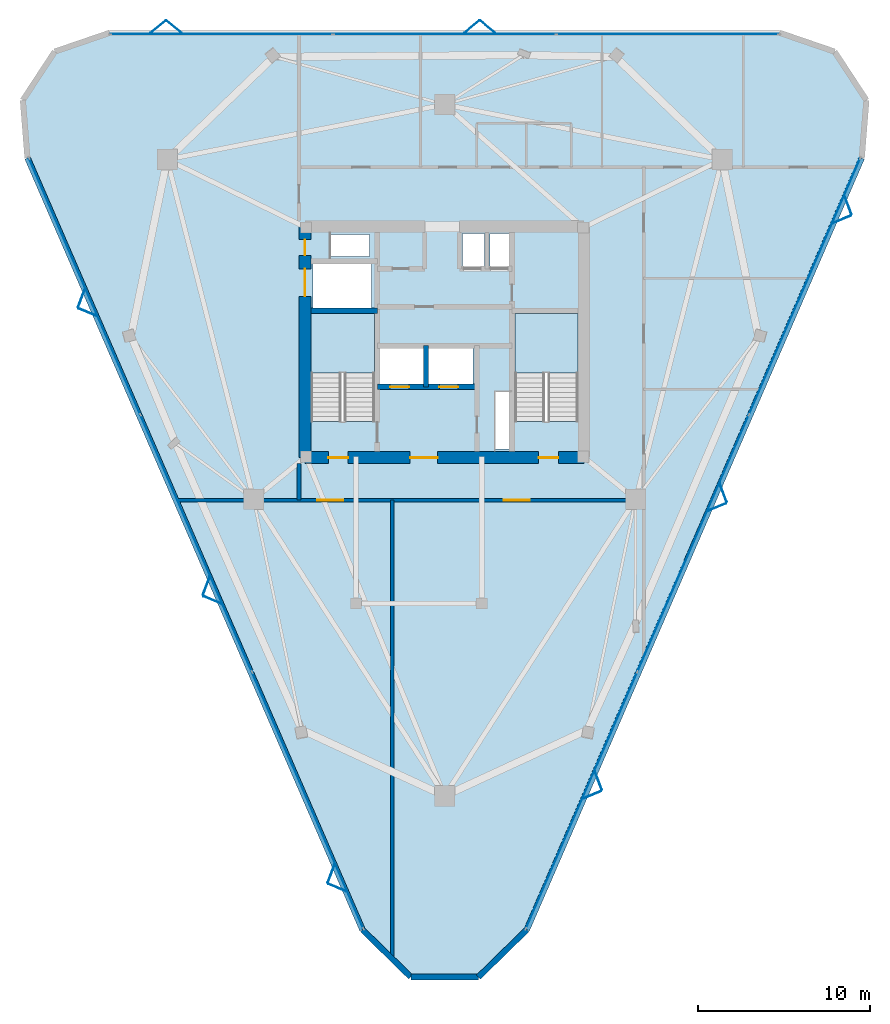
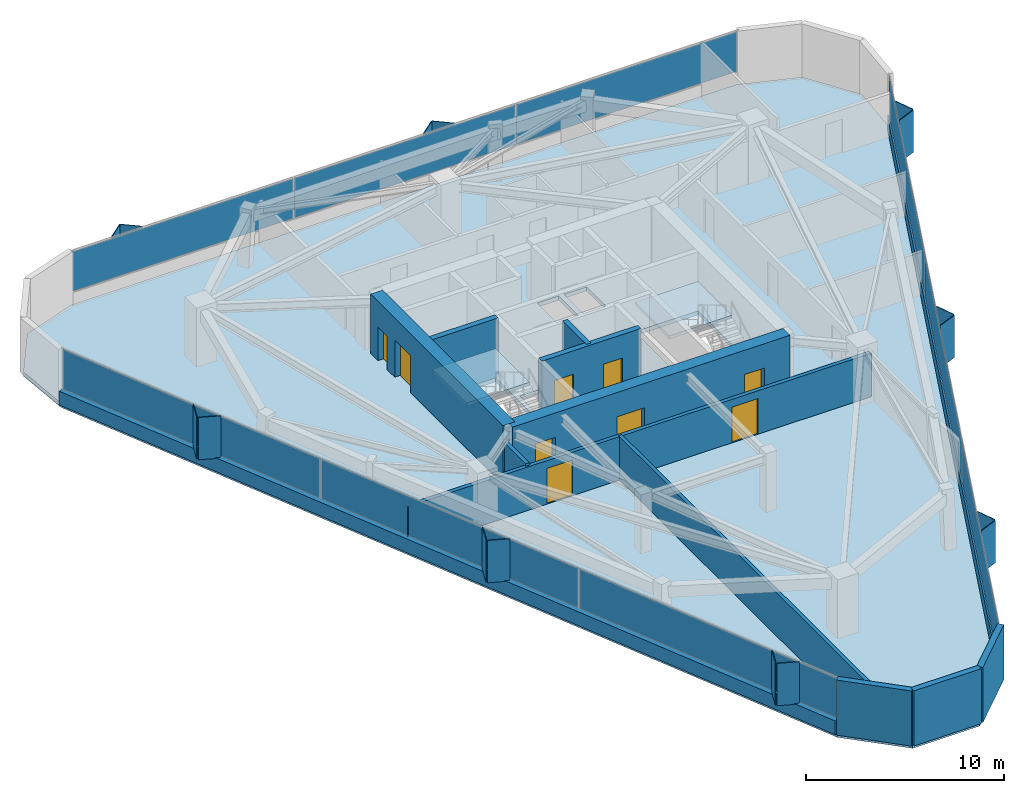
# One storey, part 7 of 10: 25 plates, 13 walls, 9 doors, 3 slabs, 9 openings, 5 elements without a shape of their own.
"""IFC4 building model written with IfcOpenShell, lengths in metres."""

from ifc_helpers import new_model, si_unit, direction, frame, frame_2d, origin, origin_2d, place, context, subcontext, project, spatial, polyline, rectangle, outline, extrude, material, layer, layer_set, type_object, element, fill, aggregate, save


model = new_model("IFC4")

# Units and contexts
model_context = context("Model", 3, precision=1e-05, world=origin(), true_north=direction((0.0, 1.0)))
body_context = subcontext(model_context, "Body", "Model", "MODEL_VIEW")
ifc_project = project(units=[si_unit("LENGTHUNIT", "METRE"), si_unit("AREAUNIT", "SQUARE_METRE"), si_unit("VOLUMEUNIT", "CUBIC_METRE"), si_unit("PLANEANGLEUNIT", "RADIAN"), si_unit("MASSUNIT", "GRAM", prefix="KILO")], contexts=[model_context])

# Site, building, storey
site_placement = place(None, origin())
site = spatial("IfcSite", under=ifc_project, at=site_placement, CompositionType="ELEMENT")
building_placement = place(site_placement, origin())
building = spatial("IfcBuilding", under=site, at=building_placement, Name="Talyreon Biosciences Tower", CompositionType="ELEMENT")
storey_placement = place(building_placement, frame((0.0, 0.0, 231.60009765625)))
storey = spatial("IfcBuildingStorey", under=building, at=storey_placement, Name="L61", CompositionType="ELEMENT", Elevation=231.60009765625)

# Curtain wall, plates
ifc_material_1 = material(Name="Thermally broken aluminium and low-E glazing", Category="aluminium")
ifc_layer_1 = layer(ifc_material_1, 0.175048828125)
ifc_layer_set_1 = layer_set([ifc_layer_1], Name="Thermally broken aluminium and low-E glazing")
curtain_wall_type = type_object("IfcCurtainWallType", Name="CurtainWall_Zone5CompLab", PredefinedType="NOTDEFINED", material=ifc_layer_set_1)
curtain_wall_1_placement = place(storey_placement, origin())
curtain_wall_1 = element("IfcCurtainWall", 1, at=curtain_wall_1_placement, inside=storey, type_object=curtain_wall_type, Name="L61 Unitised Curtain Wall FCW-L61-00", PredefinedType="NOTDEFINED")
ifc_material_2 = material(Name="Triple-silver low-E insulated glazing", Category="glass")
ifc_layer_2 = layer(ifc_material_2, 0.031982421875)
ifc_layer_set_2 = layer_set([ifc_layer_2], Name="Triple-silver low-E insulated glazing")
plate_type_1 = type_object("IfcPlateType", Name="CWGlazingPanel_32", PredefinedType="CURTAIN_PANEL", material=ifc_layer_set_2)
plate_1_placement = place(storey_placement, frame((58.0576171875, 41.41015625, 0.875), z_axis=(0.0, 0.0, 1.0), x_axis=(-0.398112405366, 0.917336640876, 0.0)))
plate_1 = element("IfcPlate", 2, at=plate_1_placement, type_object=plate_type_1, Name="CW6 panel 1.1", PredefinedType="CURTAIN_PANEL", context=body_context, shape_type="SweptSolid", body=[
    extrude(rectangle(XDim=16.1748046875, YDim=0.031982421875, at=origin_2d()), origin(), (0.0, 0.0, 1.0), 2.4599609375),
])
plate_2_placement = place(storey_placement, frame((51.5859375, 56.322265625, 0.875), z_axis=(0.0, 0.0, 1.0), x_axis=(-0.398112405366, 0.917336640876, 0.0)))
plate_2 = element("IfcPlate", 3, at=plate_2_placement, type_object=plate_type_1, Name="CW6 panel 2.1", PredefinedType="CURTAIN_PANEL", context=body_context, shape_type="SweptSolid", body=[
    extrude(rectangle(XDim=16.207275390625, YDim=0.031982421875, at=origin_2d()), origin(), (0.0, 0.0, 1.0), 2.4599609375),
])
plate_3_placement = place(storey_placement, frame((45.1142578125, 71.234619140625, 0.875), z_axis=(0.0, 0.0, 1.0), x_axis=(-0.398112405366, 0.917336640876, 0.0)))
plate_3 = element("IfcPlate", 4, at=plate_3_placement, type_object=plate_type_1, Name="CW6 panel 3.1", PredefinedType="CURTAIN_PANEL", context=body_context, shape_type="SweptSolid", body=[
    extrude(rectangle(XDim=16.1748046875, YDim=0.031982421875, at=origin_2d()), origin(), (0.0, 0.0, 1.0), 2.4599609375),
])
aggregate(curtain_wall_1, [plate_1, plate_2, plate_3])

curtain_wall_2_placement = place(storey_placement, origin())
curtain_wall_2 = element("IfcCurtainWall", 5, at=curtain_wall_2_placement, inside=storey, type_object=curtain_wall_type, Name="L61 Unitised Curtain Wall FCW-L61-04", PredefinedType="NOTDEFINED")
plate_4_placement = place(storey_placement, frame((53.059814453125, 85.87158203125, 0.875), z_axis=(0.0, 0.0, 1.0), x_axis=(1.0, 0.0, 0.0)))
plate_4 = element("IfcPlate", 6, at=plate_4_placement, type_object=plate_type_1, Name="CW6 panel 1.1", PredefinedType="CURTAIN_PANEL", context=body_context, shape_type="SweptSolid", body=[
    extrude(rectangle(XDim=12.85888671875, YDim=0.031982421875, at=origin_2d()), origin(), (0.0, 0.0, 1.0), 2.4599609375),
])
plate_5_placement = place(storey_placement, frame((66.0, 85.87158203125, 0.875), z_axis=(0.0, 0.0, 1.0), x_axis=(1.0, 0.0, 0.0)))
plate_5 = element("IfcPlate", 7, at=plate_5_placement, type_object=plate_type_1, Name="CW6 panel 2.1", PredefinedType="CURTAIN_PANEL", context=body_context, shape_type="SweptSolid", body=[
    extrude(rectangle(XDim=12.891357421875, YDim=0.031982421875, at=origin_2d()), origin(), (0.0, 0.0, 1.0), 2.4599609375),
])
plate_6_placement = place(storey_placement, frame((78.940185546875, 85.87158203125, 0.875), z_axis=(0.0, 0.0, 1.0), x_axis=(1.0, 0.0, 0.0)))
plate_6 = element("IfcPlate", 8, at=plate_6_placement, type_object=plate_type_1, Name="CW6 panel 3.1", PredefinedType="CURTAIN_PANEL", context=body_context, shape_type="SweptSolid", body=[
    extrude(rectangle(XDim=12.85888671875, YDim=0.031982421875, at=origin_2d()), origin(), (0.0, 0.0, 1.0), 2.4599609375),
])
aggregate(curtain_wall_2, [plate_4, plate_5, plate_6])

curtain_wall_3_placement = place(storey_placement, origin())
curtain_wall_3 = element("IfcCurtainWall", 9, at=curtain_wall_3_placement, inside=storey, type_object=curtain_wall_type, Name="L61 Unitised Curtain Wall FCW-L61-08", PredefinedType="NOTDEFINED")
plate_7_placement = place(storey_placement, frame((86.8857421875, 71.234619140625, 0.875), z_axis=(0.0, 0.0, 1.0), x_axis=(-0.398112405366, -0.917336640876, 0.0)))
plate_7 = element("IfcPlate", 10, at=plate_7_placement, type_object=plate_type_1, Name="CW6 panel 1.1", PredefinedType="CURTAIN_PANEL", context=body_context, shape_type="SweptSolid", body=[
    extrude(rectangle(XDim=16.1748046875, YDim=0.031982421875, at=origin_2d()), origin(), (0.0, 0.0, 1.0), 2.4599609375),
])
plate_8_placement = place(storey_placement, frame((80.4140625, 56.322265625, 0.875), z_axis=(0.0, 0.0, 1.0), x_axis=(-0.398112405366, -0.917336640876, 0.0)))
plate_8 = element("IfcPlate", 11, at=plate_8_placement, type_object=plate_type_1, Name="CW6 panel 2.1", PredefinedType="CURTAIN_PANEL", context=body_context, shape_type="SweptSolid", body=[
    extrude(rectangle(XDim=16.207275390625, YDim=0.031982421875, at=origin_2d()), origin(), (0.0, 0.0, 1.0), 2.4599609375),
])
plate_9_placement = place(storey_placement, frame((73.9423828125, 41.41015625, 0.875), z_axis=(0.0, 0.0, 1.0), x_axis=(-0.398112405366, -0.917336640876, 0.0)))
plate_9 = element("IfcPlate", 12, at=plate_9_placement, type_object=plate_type_1, Name="CW6 panel 3.1", PredefinedType="CURTAIN_PANEL", context=body_context, shape_type="SweptSolid", body=[
    extrude(rectangle(XDim=16.1748046875, YDim=0.031982421875, at=origin_2d()), origin(), (0.0, 0.0, 1.0), 2.4599609375),
])
aggregate(curtain_wall_3, [plate_7, plate_8, plate_9])

# Slab
ifc_material_3 = material(Name="Concrete C40/50", Category="concrete")
ifc_layer_3 = layer(ifc_material_3, 0.25)
ifc_layer_set_3 = layer_set([ifc_layer_3], Name="Concrete C40/50")
slab_type_1 = type_object("IfcSlabType", Name="DryLabFloorSlab_250", PredefinedType="FLOOR", material=ifc_layer_set_3)
slab_1_placement = place(storey_placement, frame((0.0, 0.0, -0.25)))
element("IfcSlab", 13, at=slab_1_placement, inside=storey, type_object=slab_type_1, Name="L61 Structural Floor Slab", PredefinedType="FLOOR", context=body_context, shape_type="SweptSolid", body=[
    extrude(outline(polyline([(61.229736328125, 33.89990234375), (41.795166015625, 78.681396484375), (41.52783203125, 82.041259765625), (43.376708984375, 84.859130859375), (46.5654296875, 85.951416015625), (85.4345703125, 85.951416015625), (88.623291015625, 84.859130859375), (90.47216796875, 82.041259765625), (90.204833984375, 78.681396484375), (70.770263671875, 33.89990234375), (67.963134765625, 31.15478515625), (64.036865234375, 31.15478515625), (61.229736328125, 33.89990234375)]), holes=[polyline([(69.820068359375, 65.10009765625), (69.820068359375, 61.800048828125), (68.9599609375, 61.800048828125), (68.9599609375, 65.10009765625), (69.820068359375, 65.10009765625)]), polyline([(61.929931640625, 69.64990234375), (61.929931640625, 63.407958984375), (58.25, 63.407958984375), (58.25, 69.64990234375), (61.929931640625, 69.64990234375)]), polyline([(73.75, 69.64990234375), (73.75, 63.407958984375), (70.070068359375, 63.407958984375), (70.070068359375, 69.64990234375), (73.75, 69.64990234375)]), polyline([(64.800048828125, 67.64990234375), (64.800048828125, 65.550048828125), (62.199951171875, 65.550048828125), (62.199951171875, 67.64990234375), (64.800048828125, 67.64990234375)]), polyline([(67.64990234375, 67.64990234375), (67.64990234375, 65.550048828125), (65.050048828125, 65.550048828125), (65.050048828125, 67.64990234375), (67.64990234375, 67.64990234375)]), polyline([(61.75, 72.550048828125), (61.75, 69.97998046875), (58.35009765625, 69.97998046875), (58.35009765625, 72.550048828125), (61.75, 72.550048828125)]), polyline([(68.300048828125, 74.300048828125), (68.300048828125, 72.35009765625), (67.050048828125, 72.35009765625), (67.050048828125, 74.300048828125), (68.300048828125, 74.300048828125)]), polyline([(69.919921875, 72.35009765625), (68.6201171875, 72.35009765625), (68.6201171875, 74.300048828125), (69.919921875, 74.300048828125), (69.919921875, 72.35009765625)]), polyline([(61.64990234375, 72.9599609375), (59.39990234375, 72.9599609375), (59.39990234375, 74.25), (61.64990234375, 74.25), (61.64990234375, 72.9599609375)])]), origin(), (0.0, 0.0, 1.0), 0.25),
])

# Plates
ifc_material_4 = material(Name="Ivory GFRC sunshade panel", Category="concrete")
ifc_layer_4 = layer(ifc_material_4, 0.044921875)
ifc_layer_set_4 = layer_set([ifc_layer_4], Name="Ivory GFRC sunshade panel")
plate_type_2 = type_object("IfcPlateType", Name="FoldedVSunshade_NorthFace_SUNSHADE", PredefinedType="USERDEFINED", material=ifc_layer_set_4)
for number, where, z_axis, x_axis, name in (
    (14, (49.385498046875, 86.3115234375, 0.7900390625), (0.0, 0.0, 1.0), (0.771624583388, 0.636078220278, 0.0), "L61 Folded V-Sunshade Panel 04.01L"),
    (15, (50.285400390625, 86.3115234375, 0.7900390625), (0.0, 0.0, 1.0), (0.771624583388, -0.636078220278, 0.0), "L61 Folded V-Sunshade Panel 04.01R"),
    (16, (67.58544921875, 86.3115234375, 0.7900390625), (0.0, 0.0, 1.0), (0.771624583388, 0.636078220278, 0.0), "L61 Folded V-Sunshade Panel 04.02L"),
    (17, (68.4853515625, 86.3115234375, 0.7900390625), (0.0, 0.0, 1.0), (0.771624583388, -0.636078220278, 0.0), "L61 Folded V-Sunshade Panel 04.02R"),
):
    element("IfcPlate", number, at=place(storey_placement, frame(where, z_axis=z_axis, x_axis=x_axis)), inside=storey, type_object=plate_type_2, Name=name, ObjectType="SUNSHADE", PredefinedType="USERDEFINED", context=body_context, shape_type="SweptSolid", body=[
        extrude(rectangle(XDim=1.14990234375, YDim=0.044921875, at=origin_2d()), origin(), (0.0, 0.0, 1.0), 2.610107421875),
    ])
ifc_layer_5 = layer(ifc_material_4, 0.044921875)
ifc_layer_set_5 = layer_set([ifc_layer_5], Name="Ivory GFRC sunshade panel")
plate_type_3 = type_object("IfcPlateType", Name="FoldedVSunshade_SunFace_SUNSHADE", PredefinedType="USERDEFINED", material=ifc_layer_set_5)
for number, where, z_axis, x_axis, name in (
    (18, (59.77685546875, 36.343505859375, 0.7900390625), (0.0, 0.0, 1.0), (-0.923612143954, 0.383328328644, 0.0), "L61 Folded V-Sunshade Panel 00.01L"),
    (19, (59.418701171875, 37.1689453125, 0.7900390625), (0.0, 0.0, 1.0), (0.350861216412, 0.936427470132, 0.0), "L61 Folded V-Sunshade Panel 00.01R"),
    (20, (52.53125, 53.038818359375, 0.7900390625), (0.0, 0.0, 1.0), (-0.923612143954, 0.383328328644, 0.0), "L61 Folded V-Sunshade Panel 00.02L"),
    (21, (52.1728515625, 53.864501953125, 0.7900390625), (0.0, 0.0, 1.0), (0.350861216412, 0.936427470132, 0.0), "L61 Folded V-Sunshade Panel 00.02R"),
    (22, (45.28564453125, 69.734375, 0.7900390625), (0.0, 0.0, 1.0), (-0.923612143954, 0.383328328644, 0.0), "L61 Folded V-Sunshade Panel 00.03L"),
    (23, (44.92724609375, 70.56005859375, 0.7900390625), (0.0, 0.0, 1.0), (0.350861216412, 0.936427470132, 0.0), "L61 Folded V-Sunshade Panel 00.03R"),
    (24, (89.412353515625, 75.951171875, 0.7900390625), (0.0, 0.0, 1.0), (0.350861216412, -0.936427470132, 0.0), "L61 Folded V-Sunshade Panel 08.01L"),
    (25, (89.05419921875, 75.12548828125, 0.7900390625), (0.0, 0.0, 1.0), (-0.923612143954, -0.383328328644, 0.0), "L61 Folded V-Sunshade Panel 08.01R"),
    (26, (82.166748046875, 59.255615234375, 0.7900390625), (0.0, 0.0, 1.0), (0.350861216412, -0.936427470132, 0.0), "L61 Folded V-Sunshade Panel 08.02L"),
    (27, (81.808349609375, 58.429931640625, 0.7900390625), (0.0, 0.0, 1.0), (-0.923612143954, -0.383328328644, 0.0), "L61 Folded V-Sunshade Panel 08.02R"),
    (28, (74.921142578125, 42.56005859375, 0.7900390625), (0.0, 0.0, 1.0), (0.350861216412, -0.936427470132, 0.0), "L61 Folded V-Sunshade Panel 08.03L"),
    (29, (74.562744140625, 41.734375, 0.7900390625), (0.0, 0.0, 1.0), (-0.923612143954, -0.383328328644, 0.0), "L61 Folded V-Sunshade Panel 08.03R"),
):
    element("IfcPlate", number, at=place(storey_placement, frame(where, z_axis=z_axis, x_axis=x_axis)), inside=storey, type_object=plate_type_3, Name=name, ObjectType="SUNSHADE", PredefinedType="USERDEFINED", context=body_context, shape_type="SweptSolid", body=[
        extrude(rectangle(XDim=1.14990234375, YDim=0.044921875, at=origin_2d()), origin(), (0.0, 0.0, 1.0), 2.610107421875),
    ])

# Stair, slab
stair_type = type_object("IfcStairType", Name="DoglegEscapeStair_3650", PredefinedType="HALF_TURN_STAIR", material=ifc_material_3)
stair_1_placement = place(storey_placement, origin())
stair_1 = element("IfcStair", 30, at=stair_1_placement, inside=storey, type_object=stair_type, Name="L61 Core Escape Stair 1", PredefinedType="HALF_TURN_STAIR")
ifc_layer_6 = layer(ifc_material_3, 0.199951171875)
ifc_layer_set_6 = layer_set([ifc_layer_6], Name="Concrete C40/50")
slab_type_2 = type_object("IfcSlabType", Name="StairLandingSlab_200", PredefinedType="LANDING", material=ifc_layer_set_6)
slab_2_placement = place(storey_placement, frame((0.0, 0.0, 1.625)))
slab_2 = element("IfcSlab", 31, at=slab_2_placement, type_object=slab_type_2, Name="ST-1 landing 1", PredefinedType="LANDING", context=body_context, shape_type="SweptSolid", body=[
    extrude(outline(polyline([(61.929931640625, 66.199951171875), (61.929931640625, 69.64990234375), (58.25, 69.64990234375), (58.25, 66.199951171875), (61.929931640625, 66.199951171875)])), origin(), (0.0, 0.0, 1.0), 0.199951171875),
])
aggregate(stair_1, [slab_2])

stair_2_placement = place(storey_placement, origin())
stair_2 = element("IfcStair", 32, at=stair_2_placement, inside=storey, type_object=stair_type, Name="L61 Core Escape Stair 2", PredefinedType="HALF_TURN_STAIR")
slab_3_placement = place(storey_placement, frame((0.0, 0.0, 1.625)))
slab_3 = element("IfcSlab", 33, at=slab_3_placement, type_object=slab_type_2, Name="ST-2 landing 1", PredefinedType="LANDING", context=body_context, shape_type="SweptSolid", body=[
    extrude(outline(polyline([(73.75, 66.199951171875), (73.75, 69.64990234375), (70.070068359375, 69.64990234375), (70.070068359375, 66.199951171875), (73.75, 66.199951171875)])), origin(), (0.0, 0.0, 1.0), 0.199951171875),
])
aggregate(stair_2, [slab_3])

# Walls
ifc_material_5 = material(Name="Gypsum fireboard acoustic stud", Category="gypsum")
ifc_layer_7 = layer(ifc_material_5, 0.199951171875)
ifc_layer_set_7 = layer_set([ifc_layer_7], Name="Gypsum fireboard acoustic stud")
wall_type_1 = type_object("IfcWallType", Name="ChemControlPartition_200", PredefinedType="PARTITIONING", material=ifc_layer_set_7)
wall_1_placement = place(storey_placement, frame((62.95703125, 32.32958984375, 0.0), z_axis=(0.0, 0.0, 1.0), x_axis=(0.0, 1.0, 0.0)))
element("IfcWall", 34, at=wall_1_placement, inside=storey, type_object=wall_type_1, Name="L61 Interior Wall IW-L61-SDIV1", PredefinedType="PARTITIONING", context=body_context, shape_type="SweptSolid", body=[
    extrude(rectangle(XDim=26.50048828125, YDim=0.199951171875, at=frame_2d((13.250244140625, 0.0))), origin(), (0.0, 0.0, 1.0), 2.679931640625),
])
ifc_material_6 = material(Name="Concrete C50/60", Category="concrete")
ifc_layer_8 = layer(ifc_material_6, 0.280029296875)
ifc_layer_set_8 = layer_set([ifc_layer_8], Name="Concrete C50/60")
wall_type_2 = type_object("IfcWallType", Name="CoreShearWall_280", PredefinedType="SHEAR", material=ifc_layer_set_8)
wall_2_placement = place(storey_placement, frame((64.919921875, 65.39990234375, 0.0), z_axis=(0.0, 0.0, 1.0), x_axis=(0.0, 1.0, 0.0)))
element("IfcWall", 35, at=wall_2_placement, inside=storey, type_object=wall_type_2, Name="L61 Core Shaft Wall SWSHD1", PredefinedType="SHEAR", context=body_context, shape_type="SweptSolid", body=[
    extrude(rectangle(XDim=2.400146484375, YDim=0.280029296875, at=frame_2d((1.2001953125, 0.0))), origin(), (0.0, 0.0, 1.0), 3.64990234375),
])
ifc_layer_9 = layer(ifc_material_6, 0.320068359375)
ifc_layer_set_9 = layer_set([ifc_layer_9], Name="Concrete C50/60")
wall_type_3 = type_object("IfcWallType", Name="CoreShearWall_320", PredefinedType="SHEAR", material=ifc_layer_set_9)
wall_3_placement = place(storey_placement, frame((58.25, 69.81005859375, 0.0), z_axis=(0.0, 0.0, 1.0), x_axis=(1.0, 0.0, 0.0)))
element("IfcWall", 36, at=wall_3_placement, inside=storey, type_object=wall_type_3, Name="L61 Core Shaft Wall SW1N", PredefinedType="SHEAR", context=body_context, shape_type="SweptSolid", body=[
    extrude(rectangle(XDim=3.840087890625, YDim=0.320068359375, at=frame_2d((1.919921875, 0.0))), origin(), (0.0, 0.0, 1.0), 3.64990234375),
])

# Wall, openings, doors
wall_4_placement = place(storey_placement, frame((62.090087890625, 65.39990234375, 0.0), z_axis=(0.0, 0.0, 1.0), x_axis=(1.0, 0.0, 0.0)))
wall_4 = element("IfcWall", 37, at=wall_4_placement, inside=storey, type_object=wall_type_3, Name="L61 Core Shaft Wall SWFFN", PredefinedType="SHEAR", context=body_context, shape_type="SweptSolid", body=[
    extrude(rectangle(XDim=5.789794921875, YDim=0.320068359375, at=frame_2d((2.89501953125, 0.0))), origin(), (0.0, 0.0, 1.0), 3.64990234375),
])
opening_1_placement = place(wall_4_placement, frame((0.75, 0.0, 0.0)))
opening_1 = element("IfcOpeningElement", 38, at=opening_1_placement, cuts=wall_4, Name="Opening LD-L61-FL1", PredefinedType="OPENING", context=body_context, shape_type="SweptSolid", body=[
    extrude(rectangle(XDim=1.10009765625, YDim=2.199951171875, at=frame_2d((0.550048828125, 1.10009765625))), frame((0.0, 0.169921875, 0.0), z_axis=(0.0, -1.0, 0.0), x_axis=(1.0, 0.0, 0.0)), (0.0, 0.0, 1.0), 0.340087890625),
])
opening_2_placement = place(wall_4_placement, frame((3.60009765625, 0.0, 0.0)))
opening_2 = element("IfcOpeningElement", 39, at=opening_2_placement, cuts=wall_4, Name="Opening LD-L61-FL2", PredefinedType="OPENING", context=body_context, shape_type="SweptSolid", body=[
    extrude(rectangle(XDim=1.10009765625, YDim=2.199951171875, at=frame_2d((0.550048828125, 1.10009765625))), frame((0.0, 0.169921875, 0.0), z_axis=(0.0, -1.0, 0.0), x_axis=(1.0, 0.0, 0.0)), (0.0, 0.0, 1.0), 0.340087890625),
])
ifc_material_7 = material(Name="Brushed stainless-steel lift landing door", Category="steel")
door_type_1 = type_object("IfcDoorType", Name="LiftSlidingLandingDoor_1100x2200", OperationType="SLIDING_TO_LEFT", PredefinedType="DOOR", material=ifc_material_7)
door_1_placement = place(opening_1_placement, origin())
door_1 = element("IfcDoor", 40, at=door_1_placement, inside=storey, type_object=door_type_1, Name="L61 Core Door LD-L61-FL1", OperationType="SLIDING_TO_LEFT", OverallHeight=2.199951171875, OverallWidth=1.10009765625, PredefinedType="DOOR", context=body_context, shape_type="SweptSolid", body=[
    extrude(rectangle(XDim=1.10009765625, YDim=2.199951171875, at=frame_2d((0.550048828125, 1.10009765625))), frame((0.0, 0.02490234375, 0.0), z_axis=(0.0, -1.0, 0.0), x_axis=(1.0, 0.0, 0.0)), (0.0, 0.0, 1.0), 0.050048828125),
])
fill(opening_1, door_1)
door_2_placement = place(opening_2_placement, origin())
door_2 = element("IfcDoor", 41, at=door_2_placement, inside=storey, type_object=door_type_1, Name="L61 Core Door LD-L61-FL2", OperationType="SLIDING_TO_LEFT", OverallHeight=2.199951171875, OverallWidth=1.10009765625, PredefinedType="DOOR", context=body_context, shape_type="SweptSolid", body=[
    extrude(rectangle(XDim=1.10009765625, YDim=2.199951171875, at=frame_2d((0.550048828125, 1.10009765625))), frame((0.0, 0.02490234375, 0.0), z_axis=(0.0, -1.0, 0.0), x_axis=(1.0, 0.0, 0.0)), (0.0, 0.0, 1.0), 0.050048828125),
])
fill(opening_2, door_2)

ifc_layer_10 = layer(ifc_material_6, 0.699951171875)
ifc_layer_set_10 = layer_set([ifc_layer_10], Name="Concrete C50/60")
wall_type_4 = type_object("IfcWallType", Name="CoreShearWall_700", PredefinedType="SHEAR", material=ifc_layer_set_10)
wall_5_placement = place(storey_placement, frame((57.89990234375, 61.300048828125, 0.0), z_axis=(0.0, 0.0, 1.0), x_axis=(1.0, 0.0, 0.0)))
wall_5 = element("IfcWall", 42, at=wall_5_placement, inside=storey, type_object=wall_type_4, Name="L61 Core Shear Wall S", PredefinedType="SHEAR", context=body_context, shape_type="SweptSolid", body=[
    extrude(rectangle(XDim=16.2001953125, YDim=0.699951171875, at=frame_2d((8.10009765625, 0.0))), origin(), (0.0, 0.0, 1.0), 3.64990234375),
])
opening_3_placement = place(wall_5_placement, frame((1.35009765625, 0.0, 0.0)))
opening_3 = element("IfcOpeningElement", 43, at=opening_3_placement, cuts=wall_5, Name="Opening DR-L61-ST1", PredefinedType="OPENING", context=body_context, shape_type="SweptSolid", body=[
    extrude(rectangle(XDim=1.14990234375, YDim=2.14990234375, at=frame_2d((0.574951171875, 1.074951171875))), frame((0.0, 0.35986328125, 0.0), z_axis=(0.0, -1.0, 0.0), x_axis=(1.0, 0.0, 0.0)), (0.0, 0.0, 1.0), 0.719970703125),
])
opening_4_placement = place(wall_5_placement, frame((6.10009765625, 0.0, 0.0)))
opening_4 = element("IfcOpeningElement", 44, at=opening_4_placement, cuts=wall_5, Name="Opening DR-L61-FFL", PredefinedType="OPENING", context=body_context, shape_type="SweptSolid", body=[
    extrude(rectangle(XDim=1.60009765625, YDim=2.14990234375, at=frame_2d((0.800048828125, 1.074951171875))), frame((0.0, 0.35986328125, 0.0), z_axis=(0.0, -1.0, 0.0), x_axis=(1.0, 0.0, 0.0)), (0.0, 0.0, 1.0), 0.719970703125),
])
opening_5_placement = place(wall_5_placement, frame((13.550048828125, 0.0, 0.0)))
opening_5 = element("IfcOpeningElement", 45, at=opening_5_placement, cuts=wall_5, Name="Opening DR-L61-ST2", PredefinedType="OPENING", context=body_context, shape_type="SweptSolid", body=[
    extrude(rectangle(XDim=1.14990234375, YDim=2.14990234375, at=frame_2d((0.574951171875, 1.074951171875))), frame((0.0, 0.35986328125, 0.0), z_axis=(0.0, -1.0, 0.0), x_axis=(1.0, 0.0, 0.0)), (0.0, 0.0, 1.0), 0.719970703125),
])
ifc_material_8 = material(Name="Painted steel smoke-seal fire door", Category="steel")
door_type_2 = type_object("IfcDoorType", Name="FirefightingLobbyDoubleDoor_1600x2150", OperationType="DOUBLE_DOOR_SINGLE_SWING", PredefinedType="DOOR", material=ifc_material_8)
door_3_placement = place(opening_4_placement, origin())
door_3 = element("IfcDoor", 46, at=door_3_placement, inside=storey, type_object=door_type_2, Name="L61 Core Door DR-L61-FFL", OperationType="DOUBLE_DOOR_SINGLE_SWING", OverallHeight=2.14990234375, OverallWidth=1.60009765625, PredefinedType="DOOR", context=body_context, shape_type="SweptSolid", body=[
    extrude(rectangle(XDim=1.60009765625, YDim=2.14990234375, at=frame_2d((0.800048828125, 1.074951171875))), frame((0.0, 0.02490234375, 0.0), z_axis=(0.0, -1.0, 0.0), x_axis=(1.0, 0.0, 0.0)), (0.0, 0.0, 1.0), 0.050048828125),
])
fill(opening_4, door_3)
ifc_material_9 = material(Name="Painted steel fire door", Category="steel")
door_type_3 = type_object("IfcDoorType", Name="StairShaftFireDoor_1150x2150", OperationType="NOTDEFINED", PredefinedType="DOOR", material=ifc_material_9)
door_4_placement = place(opening_3_placement, origin())
door_4 = element("IfcDoor", 47, at=door_4_placement, inside=storey, type_object=door_type_3, Name="L61 Core Door DR-L61-ST1", OperationType="SINGLE_SWING_LEFT", OverallHeight=2.14990234375, OverallWidth=1.14990234375, PredefinedType="DOOR", context=body_context, shape_type="SweptSolid", body=[
    extrude(rectangle(XDim=1.14990234375, YDim=2.14990234375, at=frame_2d((0.574951171875, 1.074951171875))), frame((0.0, 0.02490234375, 0.0), z_axis=(0.0, -1.0, 0.0), x_axis=(1.0, 0.0, 0.0)), (0.0, 0.0, 1.0), 0.050048828125),
])
fill(opening_3, door_4)
door_5_placement = place(opening_5_placement, origin())
door_5 = element("IfcDoor", 48, at=door_5_placement, inside=storey, type_object=door_type_3, Name="L61 Core Door DR-L61-ST2", OperationType="SINGLE_SWING_RIGHT", OverallHeight=2.14990234375, OverallWidth=1.14990234375, PredefinedType="DOOR", context=body_context, shape_type="SweptSolid", body=[
    extrude(rectangle(XDim=1.14990234375, YDim=2.14990234375, at=frame_2d((0.574951171875, 1.074951171875))), frame((0.0, 0.02490234375, 0.0), z_axis=(0.0, -1.0, 0.0), x_axis=(1.0, 0.0, 0.0)), (0.0, 0.0, 1.0), 0.050048828125),
])
fill(opening_5, door_5)

wall_6_placement = place(storey_placement, frame((57.89990234375, 74.699951171875, 0.0), z_axis=(0.0, 0.0, 1.0), x_axis=(0.0, -1.0, 0.0)))
wall_6 = element("IfcWall", 49, at=wall_6_placement, inside=storey, type_object=wall_type_4, Name="L61 Core Shear Wall W", PredefinedType="SHEAR", context=body_context, shape_type="SweptSolid", body=[
    extrude(rectangle(XDim=13.39990234375, YDim=0.699951171875, at=frame_2d((6.699951171875, 0.0))), origin(), (0.0, 0.0, 1.0), 3.64990234375),
])
opening_6_placement = place(wall_6_placement, frame((0.75, 0.0, 0.0)))
opening_6 = element("IfcOpeningElement", 50, at=opening_6_placement, cuts=wall_6, Name="Opening DR-L61-RSW", PredefinedType="OPENING", context=body_context, shape_type="SweptSolid", body=[
    extrude(rectangle(XDim=0.919921875, YDim=2.050048828125, at=frame_2d((0.4599609375, 1.02490234375))), frame((0.0, 0.35986328125, 0.0), z_axis=(0.0, -1.0, 0.0), x_axis=(1.0, 0.0, 0.0)), (0.0, 0.0, 1.0), 0.719970703125),
])
opening_7_placement = place(wall_6_placement, frame((2.449951171875, 0.0, 0.0)))
opening_7 = element("IfcOpeningElement", 51, at=opening_7_placement, cuts=wall_6, Name="Opening LD-L61-GL1", PredefinedType="OPENING", context=body_context, shape_type="SweptSolid", body=[
    extrude(rectangle(XDim=1.60009765625, YDim=2.300048828125, at=frame_2d((0.800048828125, 1.14990234375))), frame((0.0, 0.35986328125, 0.0), z_axis=(0.0, -1.0, 0.0), x_axis=(1.0, 0.0, 0.0)), (0.0, 0.0, 1.0), 0.719970703125),
])
ifc_material_10 = material(Name="Heavy-duty stainless-steel goods lift door", Category="steel")
door_type_4 = type_object("IfcDoorType", Name="GoodsLiftSlidingDoor_1600x2300", OperationType="DOUBLE_DOOR_SLIDING", PredefinedType="DOOR", material=ifc_material_10)
door_6_placement = place(opening_7_placement, origin())
door_6 = element("IfcDoor", 52, at=door_6_placement, inside=storey, type_object=door_type_4, Name="L61 Core Door LD-L61-GL1", OperationType="DOUBLE_DOOR_SLIDING", OverallHeight=2.300048828125, OverallWidth=1.60009765625, PredefinedType="DOOR", context=body_context, shape_type="SweptSolid", body=[
    extrude(rectangle(XDim=1.60009765625, YDim=2.300048828125, at=frame_2d((0.800048828125, 1.14990234375))), frame((0.0, 0.02490234375, 0.0), z_axis=(0.0, -1.0, 0.0), x_axis=(1.0, 0.0, 0.0)), (0.0, 0.0, 1.0), 0.050048828125),
])
fill(opening_7, door_6)
ifc_material_11 = material(Name="Painted steel fire-rated riser door", Category="steel")
door_type_5 = type_object("IfcDoorType", Name="RiserPlantAccessDoor_920x2050", OperationType="NOTDEFINED", PredefinedType="DOOR", material=ifc_material_11)
door_7_placement = place(opening_6_placement, origin())
door_7 = element("IfcDoor", 53, at=door_7_placement, inside=storey, type_object=door_type_5, Name="L61 Core Door DR-L61-RSW", OperationType="SINGLE_SWING_LEFT", OverallHeight=2.050048828125, OverallWidth=0.919921875, PredefinedType="DOOR", context=body_context, shape_type="SweptSolid", body=[
    extrude(rectangle(XDim=0.919921875, YDim=2.050048828125, at=frame_2d((0.4599609375, 1.02490234375))), frame((0.0, 0.02490234375, 0.0), z_axis=(0.0, -1.0, 0.0), x_axis=(1.0, 0.0, 0.0)), (0.0, 0.0, 1.0), 0.050048828125),
])
fill(opening_6, door_7)

ifc_layer_11 = layer(ifc_material_5, 0.219970703125)
ifc_layer_set_11 = layer_set([ifc_layer_11], Name="Gypsum fireboard acoustic stud")
wall_type_5 = type_object("IfcWallType", Name="CorridorRatedPartition_220", PredefinedType="PARTITIONING", material=ifc_layer_set_11)
wall_7_placement = place(storey_placement, frame((50.503173828125, 58.830078125, 0.0), z_axis=(0.0, 0.0, 1.0), x_axis=(1.0, 0.0, 0.0)))
wall_7 = element("IfcWall", 54, at=wall_7_placement, inside=storey, type_object=wall_type_5, Name="L61 Interior Wall IW-L61-COR-S", PredefinedType="PARTITIONING", context=body_context, shape_type="SweptSolid", body=[
    extrude(rectangle(XDim=27.046875, YDim=0.219970703125, at=frame_2d((13.5234375, 0.0))), origin(), (0.0, 0.0, 1.0), 2.679931640625),
])
opening_8_placement = place(wall_7_placement, frame((8.117919921875, 0.0, 0.0)))
opening_8 = element("IfcOpeningElement", 55, at=opening_8_placement, cuts=wall_7, Name="Opening DR-L61-S1A", PredefinedType="OPENING", context=body_context, shape_type="SweptSolid", body=[
    extrude(rectangle(XDim=1.5, YDim=2.199951171875, at=frame_2d((0.75, 1.10009765625))), frame((0.0, 0.119873046875, 0.0), z_axis=(0.0, -1.0, 0.0), x_axis=(1.0, 0.0, 0.0)), (0.0, 0.0, 1.0), 0.239990234375),
])
opening_9_placement = place(wall_7_placement, frame((18.925048828125, 0.0, 0.0)))
opening_9 = element("IfcOpeningElement", 56, at=opening_9_placement, cuts=wall_7, Name="Opening DR-L61-S2A", PredefinedType="OPENING", context=body_context, shape_type="SweptSolid", body=[
    extrude(rectangle(XDim=1.5, YDim=2.199951171875, at=frame_2d((0.75, 1.10009765625))), frame((0.0, 0.119873046875, 0.0), z_axis=(0.0, -1.0, 0.0), x_axis=(1.0, 0.0, 0.0)), (0.0, 0.0, 1.0), 0.239990234375),
])
ifc_material_12 = material(Name="Vision-panel steel laboratory fire door", Category="steel")
door_type_6 = type_object("IfcDoorType", Name="WetLabDoubleLeafDoor_1500x2200", OperationType="DOUBLE_DOOR_SINGLE_SWING", PredefinedType="DOOR", material=ifc_material_12)
door_8_placement = place(opening_8_placement, origin())
door_8 = element("IfcDoor", 57, at=door_8_placement, inside=storey, type_object=door_type_6, Name="L61 Interior Door DR-L61-S1A", OperationType="DOUBLE_DOOR_SINGLE_SWING", OverallHeight=2.199951171875, OverallWidth=1.5, PredefinedType="DOOR", context=body_context, shape_type="SweptSolid", body=[
    extrude(rectangle(XDim=1.5, YDim=2.199951171875, at=frame_2d((0.75, 1.10009765625))), frame((0.0, 0.02490234375, 0.0), z_axis=(0.0, -1.0, 0.0), x_axis=(1.0, 0.0, 0.0)), (0.0, 0.0, 1.0), 0.050048828125),
])
fill(opening_8, door_8)
door_9_placement = place(opening_9_placement, origin())
door_9 = element("IfcDoor", 58, at=door_9_placement, inside=storey, type_object=door_type_6, Name="L61 Interior Door DR-L61-S2A", OperationType="DOUBLE_DOOR_SINGLE_SWING", OverallHeight=2.199951171875, OverallWidth=1.5, PredefinedType="DOOR", context=body_context, shape_type="SweptSolid", body=[
    extrude(rectangle(XDim=1.5, YDim=2.199951171875, at=frame_2d((0.75, 1.10009765625))), frame((0.0, 0.02490234375, 0.0), z_axis=(0.0, -1.0, 0.0), x_axis=(1.0, 0.0, 0.0)), (0.0, 0.0, 1.0), 0.050048828125),
])
fill(opening_9, door_9)

# Walls
wall_8_placement = place(storey_placement, frame((57.550048828125, 58.830078125, 0.0), z_axis=(0.0, 0.0, 1.0), x_axis=(0.0, 1.0, 0.0)))
element("IfcWall", 59, at=wall_8_placement, inside=storey, type_object=wall_type_5, Name="L61 Interior Wall IW-L61-WCAP-S", PredefinedType="PARTITIONING", context=body_context, shape_type="SweptSolid", body=[
    extrude(rectangle(XDim=2.119873046875, YDim=0.219970703125, at=frame_2d((1.06005859375, 0.0))), origin(), (0.0, 0.0, 1.0), 2.829833984375),
])
ifc_material_13 = material(Name="Precast concrete C45/55", Category="concrete")
ifc_layer_12 = layer(ifc_material_13, 0.340087890625)
ifc_layer_set_12 = layer_set([ifc_layer_12], Name="Precast concrete C45/55")
wall_type_6 = type_object("IfcWallType", Name="PrecastConcreteSpandrelWall_340", PredefinedType="STANDARD", material=ifc_layer_set_12)
for number, where, z_axis, x_axis, name in (
    (60, (61.229736328125, 33.89990234375, 0.0), (0.0, 0.0, 1.0), (-0.398111937444, 0.917336843948, 0.0), "L61 Expressed Concrete Sill Wall 00"),
    (61, (90.204833984375, 78.681396484375, 0.0), (0.0, 0.0, 1.0), (-0.398111937444, -0.917336843948, 0.0), "L61 Expressed Concrete Sill Wall 08"),
):
    element("IfcWall", number, at=place(storey_placement, frame(where, z_axis=z_axis, x_axis=x_axis)), inside=storey, type_object=wall_type_6, Name=name, PredefinedType="STANDARD", context=body_context, shape_type="SweptSolid", body=[
        extrude(rectangle(XDim=48.81689453125, YDim=0.340087890625, at=frame_2d((24.408447265625, 0.0))), origin(), (0.0, 0.0, 1.0), 0.849853515625),
    ])
for number, where, z_axis, x_axis, name in (
    (62, (70.770263671875, 33.89990234375, 0.0), (0.0, 0.0, 1.0), (-0.714959697892, -0.699165667342, 0.0), "L61 Rounded-Corner Concrete Pier 09"),
    (63, (67.963134765625, 31.15478515625, 0.0), (0.0, 0.0, 1.0), (-1.0, 0.0, 0.0), "L61 Rounded-Corner Concrete Pier 10"),
    (64, (64.036865234375, 31.15478515625, 0.0), (0.0, 0.0, 1.0), (-0.714959697892, 0.699165667342, 0.0), "L61 Rounded-Corner Concrete Pier 11"),
):
    element("IfcWall", number, at=place(storey_placement, frame(where, z_axis=z_axis, x_axis=x_axis)), inside=storey, type_object=wall_type_6, Name=name, PredefinedType="STANDARD", context=body_context, shape_type="SweptSolid", body=[
        extrude(rectangle(XDim=3.92626953125, YDim=0.340087890625, at=frame_2d((1.963134765625, 0.0))), origin(), (0.0, 0.0, 1.0), 3.39990234375),
    ])

save(model, "model.ifc")
